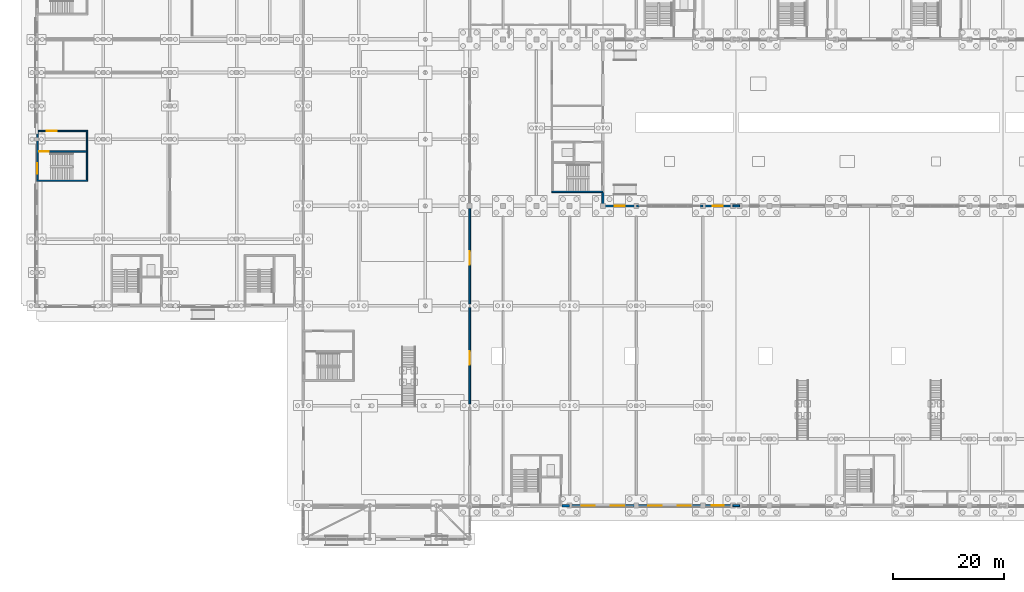
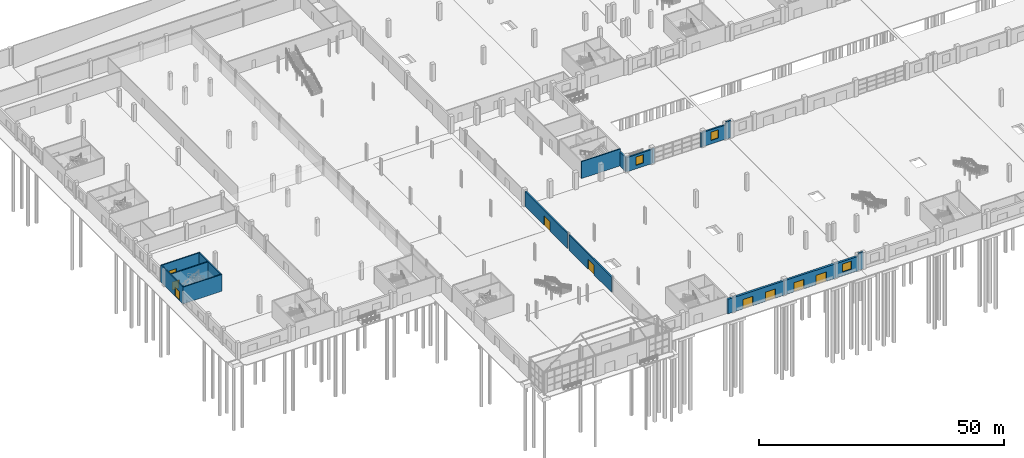
# One storey, part 54 of 77: 19 walls, 9 doors, 3 windows, 12 openings.
"""IFC4 building model written with IfcOpenShell, lengths in metres."""

from ifc_helpers import new_model, si_unit, direction, frame, frame_2d, origin, place, context, subcontext, project, spatial, rectangle, extrude, material, layer, layer_set, type_object, element, fill, save


model = new_model("IFC4")

# Units and contexts
model_context = context("Model", 3, precision=1e-05, world=origin(), true_north=direction((0.0, 1.0)))
body_context = subcontext(model_context, "Body", "Model", "MODEL_VIEW")
ifc_project = project(units=[si_unit("LENGTHUNIT", "METRE"), si_unit("AREAUNIT", "SQUARE_METRE"), si_unit("VOLUMEUNIT", "CUBIC_METRE"), si_unit("PLANEANGLEUNIT", "RADIAN"), si_unit("MASSUNIT", "GRAM", prefix="KILO")], contexts=[model_context])

# Site, building, storey
site_placement = place(None, origin())
site = spatial("IfcSite", under=ifc_project, at=site_placement, CompositionType="ELEMENT")
building_placement = place(site_placement, origin())
building = spatial("IfcBuilding", under=site, at=building_placement, Name="Zilviju Railside Exhibition Hall", CompositionType="ELEMENT")
storey_placement = place(building_placement, origin())
storey = spatial("IfcBuildingStorey", under=building, at=storey_placement, Name="L01", CompositionType="ELEMENT", Elevation=0.0)

# Wall, opening, door
ifc_material_1 = material(Name="Concrete C40/50", Category="concrete")
ifc_layer_1 = layer(ifc_material_1, 0.320068359375)
ifc_layer_set_1 = layer_set([ifc_layer_1], Name="Concrete C40/50")
wall_type_1 = type_object("IfcWallType", Name="WL-COMP-320", PredefinedType="SHEAR", material=ifc_layer_set_1)
wall_1_placement = place(storey_placement, frame((78.0, 18.302001953125, 0.0), z_axis=(0.0, 0.0, 1.0), x_axis=(0.0, 1.0, 0.0)))
wall_1 = element("IfcWall", 1, at=wall_1_placement, inside=storey, type_object=wall_type_1, Name="REI 180 South Hall Compartment Wall L01", PredefinedType="SHEAR", context=body_context, shape_type="SweptSolid", body=[
    extrude(rectangle(XDim=17.39599609375, YDim=0.320068359375, at=frame_2d((8.697998046875, 0.0))), origin(), (0.0, 0.0, 1.0), 3.800048828125),
])
opening_1_placement = place(wall_1_placement, frame((7.048095703125, 0.0, 0.0)))
opening_1 = element("IfcOpeningElement", 2, at=opening_1_placement, cuts=wall_1, Name="Opening FD-04", PredefinedType="OPENING", context=body_context, shape_type="SweptSolid", body=[
    extrude(rectangle(XDim=2.5, YDim=2.39990234375, at=frame_2d((1.25, 1.199951171875))), frame((0.0, 0.169921875, 0.0), z_axis=(0.0, -1.0, 0.0), x_axis=(1.0, 0.0, 0.0)), (0.0, 0.0, 1.0), 0.340087890625),
])
ifc_material_2 = material(Name="Exhibition hall fire compartment double door EI 60", Category="wood")
door_type_1 = type_object("IfcDoorType", Name="DR-COMP-250x240", OperationType="NOTDEFINED", PredefinedType="DOOR", material=ifc_material_2)
door_1_placement = place(opening_1_placement, origin())
door_1 = element("IfcDoor", 3, at=door_1_placement, inside=storey, type_object=door_type_1, Name="South Hall Entry Fire Door L01", OperationType="DOUBLE_DOOR_SINGLE_SWING", OverallHeight=2.39990234375, OverallWidth=2.5, PredefinedType="DOOR", context=body_context, shape_type="SweptSolid", body=[
    extrude(rectangle(XDim=2.5, YDim=2.39990234375, at=frame_2d((1.25, 1.199951171875))), frame((0.0, 0.02490234375, 0.0), z_axis=(0.0, -1.0, 0.0), x_axis=(1.0, 0.0, 0.0)), (0.0, 0.0, 1.0), 0.050048828125),
])
fill(opening_1, door_1)

wall_2_placement = place(storey_placement, frame((78.0, 36.302001953125, 0.0), z_axis=(0.0, 0.0, 1.0), x_axis=(0.0, 1.0, 0.0)))
wall_2 = element("IfcWall", 4, at=wall_2_placement, inside=storey, type_object=wall_type_1, Name="REI 180 South Hall Compartment Wall L01", PredefinedType="SHEAR", context=body_context, shape_type="SweptSolid", body=[
    extrude(rectangle(XDim=17.24609375, YDim=0.320068359375, at=frame_2d((8.623046875, 0.0))), origin(), (0.0, 0.0, 1.0), 3.800048828125),
])
opening_2_placement = place(wall_2_placement, frame((7.048095703125, 0.0, 0.0)))
opening_2 = element("IfcOpeningElement", 5, at=opening_2_placement, cuts=wall_2, Name="Opening FD-04", PredefinedType="OPENING", context=body_context, shape_type="SweptSolid", body=[
    extrude(rectangle(XDim=2.5, YDim=2.39990234375, at=frame_2d((1.25, 1.199951171875))), frame((0.0, 0.169921875, 0.0), z_axis=(0.0, -1.0, 0.0), x_axis=(1.0, 0.0, 0.0)), (0.0, 0.0, 1.0), 0.340087890625),
])
door_2_placement = place(opening_2_placement, origin())
door_2 = element("IfcDoor", 6, at=door_2_placement, inside=storey, type_object=door_type_1, Name="South Hall Entry Fire Door L01", OperationType="DOUBLE_DOOR_SINGLE_SWING", OverallHeight=2.39990234375, OverallWidth=2.5, PredefinedType="DOOR", context=body_context, shape_type="SweptSolid", body=[
    extrude(rectangle(XDim=2.5, YDim=2.39990234375, at=frame_2d((1.25, 1.199951171875))), frame((0.0, 0.02490234375, 0.0), z_axis=(0.0, -1.0, 0.0), x_axis=(1.0, 0.0, 0.0)), (0.0, 0.0, 1.0), 0.050048828125),
])
fill(opening_2, door_2)

# Walls
ifc_material_3 = material(Name="Concrete C35/45", Category="concrete")
ifc_layer_2 = layer(ifc_material_3, 0.25)
ifc_layer_set_2 = layer_set([ifc_layer_2], Name="Concrete C35/45")
wall_type_2 = type_object("IfcWallType", Name="WL-CORE-250", PredefinedType="SHEAR", material=ifc_layer_set_2)
for number, where, z_axis, x_axis, name in (
    (7, (102.0, 56.52490234375, 0.0), (0.0, 0.0, 1.0), (-1.0, 0.0, 0.0), "Core C10 Winter Concourse Court Stairwell Outer Wall L01"),
    (8, (0.0, 58.52490234375, 0.0), (0.0, 0.0, 1.0), (1.0, 0.0, 0.0), "Core C14 Congress Plenary West Stairwell Outer Wall L01"),
):
    element("IfcWall", number, at=place(storey_placement, frame(where, z_axis=z_axis, x_axis=x_axis)), inside=storey, type_object=wall_type_2, Name=name, PredefinedType="SHEAR", context=body_context, shape_type="SweptSolid", body=[
        extrude(rectangle(XDim=9.199951171875, YDim=0.25, at=frame_2d((4.60009765625, 0.0))), origin(), (0.0, 0.0, 1.0), 4.199951171875),
    ])
wall_3_placement = place(storey_placement, frame((9.074951171875, 58.39990234375, 0.0), z_axis=(0.0, 0.0, 1.0), x_axis=(0.0, 1.0, 0.0)))
element("IfcWall", 9, at=wall_3_placement, inside=storey, type_object=wall_type_2, Name="Core C14 Congress Plenary West Core Rear Wall L01", PredefinedType="SHEAR", context=body_context, shape_type="SweptSolid", body=[
    extrude(rectangle(XDim=9.2001953125, YDim=0.25, at=frame_2d((4.60009765625, 0.0))), origin(), (0.0, 0.0, 1.0), 4.199951171875),
])

# Wall, opening, door
wall_4_placement = place(storey_placement, frame((0.0, 67.47509765625, 0.0), z_axis=(0.0, 0.0, 1.0), x_axis=(1.0, 0.0, 0.0)))
wall_4 = element("IfcWall", 10, at=wall_4_placement, inside=storey, type_object=wall_type_2, Name="Core C14 Congress Plenary West Lobby Side Wall L01", PredefinedType="SHEAR", context=body_context, shape_type="SweptSolid", body=[
    extrude(rectangle(XDim=9.199951171875, YDim=0.25, at=frame_2d((4.60009765625, 0.0))), origin(), (0.0, 0.0, 1.0), 4.199951171875),
])
opening_3_placement = place(wall_4_placement, frame((1.800048828125, 0.0, 0.0)))
opening_3 = element("IfcOpeningElement", 11, at=opening_3_placement, cuts=wall_4, Name="Opening FD-02", PredefinedType="OPENING", context=body_context, shape_type="SweptSolid", body=[
    extrude(rectangle(XDim=1.800048828125, YDim=2.14990234375, at=frame_2d((0.89990234375, 1.074951171875))), frame((0.0, 0.135009765625, 0.0), z_axis=(0.0, -1.0, 0.0), x_axis=(1.0, 0.0, 0.0)), (0.0, 0.0, 1.0), 0.27001953125),
])
ifc_material_4 = material(Name="Self-closing glazed steel core lobby fire door EI 60", Category="steel")
door_type_2 = type_object("IfcDoorType", Name="DR-LOBBY-180x215", OperationType="NOTDEFINED", PredefinedType="DOOR", material=ifc_material_4)
door_3_placement = place(opening_3_placement, origin())
door_3 = element("IfcDoor", 12, at=door_3_placement, inside=storey, type_object=door_type_2, Name="Core C14 Congress Plenary West Lobby Fire Door L01", OperationType="DOUBLE_DOOR_SINGLE_SWING", OverallHeight=2.14990234375, OverallWidth=1.800048828125, PredefinedType="DOOR", context=body_context, shape_type="SweptSolid", body=[
    extrude(rectangle(XDim=1.800048828125, YDim=2.14990234375, at=frame_2d((0.89990234375, 1.074951171875))), frame((0.0, 0.02490234375, 0.0), z_axis=(0.0, -1.0, 0.0), x_axis=(1.0, 0.0, 0.0)), (0.0, 0.0, 1.0), 0.050048828125),
])
fill(opening_3, door_3)

wall_5_placement = place(storey_placement, frame((0.25, 63.77490234375, 0.0), z_axis=(0.0, 0.0, 1.0), x_axis=(1.0, 0.0, 0.0)))
wall_5 = element("IfcWall", 13, at=wall_5_placement, inside=storey, type_object=wall_type_2, Name="Core C14 Congress Plenary West Stairwell Partition Wall L01", PredefinedType="SHEAR", context=body_context, shape_type="SweptSolid", body=[
    extrude(rectangle(XDim=8.699951171875, YDim=0.25, at=frame_2d((4.35009765625, 0.0))), origin(), (0.0, 0.0, 1.0), 4.199951171875),
])
opening_4_placement = place(wall_5_placement, frame((0.25, 0.0, 0.0)))
opening_4 = element("IfcOpeningElement", 14, at=opening_4_placement, cuts=wall_5, Name="Opening FD-01", PredefinedType="OPENING", context=body_context, shape_type="SweptSolid", body=[
    extrude(rectangle(XDim=1.64990234375, YDim=2.10009765625, at=frame_2d((0.824951171875, 1.050048828125))), frame((0.0, 0.135009765625, 0.0), z_axis=(0.0, -1.0, 0.0), x_axis=(1.0, 0.0, 0.0)), (0.0, 0.0, 1.0), 0.27001953125),
])
ifc_material_5 = material(Name="Self-closing steel stair enclosure fire door EI 60", Category="steel")
door_type_3 = type_object("IfcDoorType", Name="DR-STAIR-165x210", OperationType="NOTDEFINED", PredefinedType="DOOR", material=ifc_material_5)
door_4_placement = place(opening_4_placement, origin())
door_4 = element("IfcDoor", 15, at=door_4_placement, inside=storey, type_object=door_type_3, Name="Core C14 Congress Plenary West Protected Stair Door L01", OperationType="SINGLE_SWING_RIGHT", OverallHeight=2.10009765625, OverallWidth=1.64990234375, PredefinedType="DOOR", context=body_context, shape_type="SweptSolid", body=[
    extrude(rectangle(XDim=1.64990234375, YDim=2.10009765625, at=frame_2d((0.824951171875, 1.050048828125))), frame((0.0, 0.02490234375, 0.0), z_axis=(0.0, -1.0, 0.0), x_axis=(1.0, 0.0, 0.0)), (0.0, 0.0, 1.0), 0.050048828125),
])
fill(opening_4, door_4)

ifc_layer_3 = layer(ifc_material_1, 0.25)
ifc_layer_set_3 = layer_set([ifc_layer_3], Name="Concrete C40/50")
wall_type_3 = type_object("IfcWallType", Name="WL-CORE-300", PredefinedType="SHEAR", material=ifc_layer_set_3)
wall_6_placement = place(storey_placement, frame((0.125, 58.39990234375, 0.0), z_axis=(0.0, 0.0, 1.0), x_axis=(0.0, 1.0, 0.0)))
wall_6 = element("IfcWall", 16, at=wall_6_placement, inside=storey, type_object=wall_type_3, Name="Core C14 Congress Plenary West Exterior Core Wall L01", PredefinedType="SHEAR", context=body_context, shape_type="SweptSolid", body=[
    extrude(rectangle(XDim=9.2001953125, YDim=0.25, at=frame_2d((4.60009765625, 0.0))), origin(), (0.0, 0.0, 1.0), 4.199951171875),
])
opening_5_placement = place(wall_6_placement, frame((1.39990234375, 0.0, 0.0)))
opening_5 = element("IfcOpeningElement", 17, at=opening_5_placement, cuts=wall_6, Name="Opening ED-02", PredefinedType="OPENING", context=body_context, shape_type="SweptSolid", body=[
    extrude(rectangle(XDim=1.89990234375, YDim=2.199951171875, at=frame_2d((0.949951171875, 1.10009765625))), frame((0.0, 0.135009765625, 0.0), z_axis=(0.0, -1.0, 0.0), x_axis=(1.0, 0.0, 0.0)), (0.0, 0.0, 1.0), 0.27001953125),
])
ifc_material_6 = material(Name="Insulated aluminium stair discharge door", Category="aluminium")
door_type_4 = type_object("IfcDoorType", Name="DR-EXT-EXIT-190x220", OperationType="NOTDEFINED", PredefinedType="DOOR", material=ifc_material_6)
door_5_placement = place(opening_5_placement, origin())
door_5 = element("IfcDoor", 18, at=door_5_placement, inside=storey, type_object=door_type_4, Name="Core C14 Congress Plenary West Exit Stair Discharge Door ED-C14", OperationType="DOUBLE_DOOR_SINGLE_SWING", OverallHeight=2.199951171875, OverallWidth=1.89990234375, PredefinedType="DOOR", context=body_context, shape_type="SweptSolid", body=[
    extrude(rectangle(XDim=1.89990234375, YDim=2.199951171875, at=frame_2d((0.949951171875, 1.10009765625))), frame((0.0, 0.02490234375, 0.0), z_axis=(0.0, -1.0, 0.0), x_axis=(1.0, 0.0, 0.0)), (0.0, 0.0, 1.0), 0.050048828125),
])
fill(opening_5, door_5)

# Wall, opening, window
ifc_material_7 = material(Name="Insulated courtyard masonry wall", Category="masonry")
ifc_layer_4 = layer(ifc_material_7, 0.360107421875)
ifc_layer_set_4 = layer_set([ifc_layer_4], Name="Insulated courtyard masonry wall")
wall_type_4 = type_object("IfcWallType", Name="WL-EXT-360", PredefinedType="SOLIDWALL", material=ifc_layer_set_4)
wall_7_placement = place(storey_placement, frame((102.0, 54.0, 0.0), z_axis=(0.0, 0.0, 1.0), x_axis=(1.0, 0.0, 0.0)))
wall_7 = element("IfcWall", 19, at=wall_7_placement, inside=storey, type_object=wall_type_4, Name="Exterior Facade Wall L01 North 0018", PredefinedType="SOLIDWALL", context=body_context, shape_type="SweptSolid", body=[
    extrude(rectangle(XDim=6.0, YDim=0.360107421875, at=frame_2d((3.0, 0.0))), origin(), (0.0, 0.0, 1.0), 3.56005859375),
])
opening_6_placement = place(wall_7_placement, frame((2.10009765625, 0.0, 0.89990234375)))
opening_6 = element("IfcOpeningElement", 20, at=opening_6_placement, cuts=wall_7, Name="Opening WN-01", PredefinedType="OPENING", context=body_context, shape_type="SweptSolid", body=[
    extrude(rectangle(XDim=1.800048828125, YDim=2.050048828125, at=frame_2d((0.89990234375, 1.02490234375))), frame((0.0, 0.18994140625, 0.0), z_axis=(0.0, -1.0, 0.0), x_axis=(1.0, 0.0, 0.0)), (0.0, 0.0, 1.0), 0.380126953125),
])
ifc_material_8 = material(Name="Triple-glazed timber-aluminium window unit", Category="wood")
window_type_1 = type_object("IfcWindowType", Name="WIN-JUG-180x205", PartitioningType="DOUBLE_PANEL_VERTICAL", PredefinedType="WINDOW", material=ifc_material_8)
window_1_placement = place(opening_6_placement, origin())
window_1 = element("IfcWindow", 21, at=window_1_placement, inside=storey, type_object=window_type_1, Name="Facade Window L01 WN-0006", OverallHeight=2.050048828125, OverallWidth=1.800048828125, PartitioningType="SINGLE_PANEL", PredefinedType="WINDOW", context=body_context, shape_type="SweptSolid", body=[
    extrude(rectangle(XDim=1.800048828125, YDim=2.050048828125, at=frame_2d((0.89990234375, 1.02490234375))), frame((0.0, 0.030029296875, 0.0), z_axis=(0.0, -1.0, 0.0), x_axis=(1.0, 0.0, 0.0)), (0.0, 0.0, 1.0), 0.06005859375),
])
fill(opening_6, window_1)

wall_8_placement = place(storey_placement, frame((120.0, 54.0, 0.0), z_axis=(0.0, 0.0, 1.0), x_axis=(1.0, 0.0, 0.0)))
wall_8 = element("IfcWall", 22, at=wall_8_placement, inside=storey, type_object=wall_type_4, Name="Exterior Facade Wall L01 North 0021", PredefinedType="SOLIDWALL", context=body_context, shape_type="SweptSolid", body=[
    extrude(rectangle(XDim=5.39990234375, YDim=0.360107421875, at=frame_2d((2.699951171875, 0.0))), origin(), (0.0, 0.0, 1.0), 3.570068359375),
])
opening_7_placement = place(wall_8_placement, frame((1.800048828125, 0.0, 0.89990234375)))
opening_7 = element("IfcOpeningElement", 23, at=opening_7_placement, cuts=wall_8, Name="Opening WN-01", PredefinedType="OPENING", context=body_context, shape_type="SweptSolid", body=[
    extrude(rectangle(XDim=1.800048828125, YDim=2.050048828125, at=frame_2d((0.89990234375, 1.02490234375))), frame((0.0, 0.18994140625, 0.0), z_axis=(0.0, -1.0, 0.0), x_axis=(1.0, 0.0, 0.0)), (0.0, 0.0, 1.0), 0.380126953125),
])
window_2_placement = place(opening_7_placement, origin())
window_2 = element("IfcWindow", 24, at=window_2_placement, inside=storey, type_object=window_type_1, Name="Facade Window L01 WN-0007", OverallHeight=2.050048828125, OverallWidth=1.800048828125, PartitioningType="SINGLE_PANEL", PredefinedType="WINDOW", context=body_context, shape_type="SweptSolid", body=[
    extrude(rectangle(XDim=1.800048828125, YDim=2.050048828125, at=frame_2d((0.89990234375, 1.02490234375))), frame((0.0, 0.030029296875, 0.0), z_axis=(0.0, -1.0, 0.0), x_axis=(1.0, 0.0, 0.0)), (0.0, 0.0, 1.0), 0.06005859375),
])
fill(opening_7, window_2)

# Walls
wall_9_placement = place(storey_placement, frame((102.0, 56.39990234375, 0.0), z_axis=(0.0, 0.0, 1.0), x_axis=(0.0, -1.0, 0.0)))
element("IfcWall", 25, at=wall_9_placement, inside=storey, type_object=wall_type_4, Name="Exterior Facade Wall L01 East 0399", PredefinedType="SOLIDWALL", context=body_context, shape_type="SweptSolid", body=[
    extrude(rectangle(XDim=2.39990234375, YDim=0.360107421875, at=frame_2d((1.199951171875, 0.0))), origin(), (0.0, 0.0, 1.0), 3.5),
])
for number, where, z_axis, x_axis, name in (
    (26, (126.60009765625, 0.0, 0.0), (0.0, 0.0, 1.0), (-1.0, 0.0, 0.0), "Exterior Facade Wall L01 South 0581"),
    (27, (125.39990234375, 54.0, 0.0), (0.0, 0.0, 1.0), (1.0, 0.0, 0.0), "Exterior Facade Wall L01 North 0582"),
):
    element("IfcWall", number, at=place(storey_placement, frame(where, z_axis=z_axis, x_axis=x_axis)), inside=storey, type_object=wall_type_4, Name=name, PredefinedType="SOLIDWALL", context=body_context, shape_type="SweptSolid", body=[
        extrude(rectangle(XDim=1.2001953125, YDim=0.360107421875, at=frame_2d((0.60009765625, 0.0))), origin(), (0.0, 0.0, 1.0), 4.199951171875),
    ])
ifc_material_9 = material(Name="Insulated cream-brick upper facade wall", Category="masonry")
ifc_layer_5 = layer(ifc_material_9, 0.3798828125)
ifc_layer_set_5 = layer_set([ifc_layer_5], Name="Insulated cream-brick upper facade wall")
wall_type_5 = type_object("IfcWallType", Name="WL-EXT-380", PredefinedType="SOLIDWALL", material=ifc_layer_set_5)
for number, where, z_axis, x_axis, name in (
    (28, (108.001953125, 54.0, 0.0), (0.0, 0.0, 1.0), (1.0, 0.0, 0.0), "Curtain-Wall Jamb Closure Pier L01 0019"),
    (29, (119.449951171875, 54.0, 0.0), (0.0, 0.0, 1.0), (1.0, 0.0, 0.0), "Curtain-Wall Jamb Closure Pier L01 0020"),
):
    element("IfcWall", number, at=place(storey_placement, frame(where, z_axis=z_axis, x_axis=x_axis)), inside=storey, type_object=wall_type_5, Name=name, PredefinedType="SOLIDWALL", context=body_context, shape_type="SweptSolid", body=[
        extrude(rectangle(XDim=0.548095703125, YDim=0.3798828125, at=frame_2d((0.27392578125, 0.0))), origin(), (0.0, 0.0, 1.0), 3.56005859375),
    ])
ifc_material_10 = material(Name="Insulated Baltic granite plinth masonry wall", Category="masonry")
ifc_layer_6 = layer(ifc_material_10, 0.47998046875)
ifc_layer_set_6 = layer_set([ifc_layer_6], Name="Insulated Baltic granite plinth masonry wall")
wall_type_6 = type_object("IfcWallType", Name="WL-EXT-480", PredefinedType="SOLIDWALL", material=ifc_layer_set_6)
wall_10_placement = place(storey_placement, frame((96.0, 0.0, 0.0), z_axis=(0.0, 0.0, 1.0), x_axis=(-1.0, 0.0, 0.0)))
element("IfcWall", 30, at=wall_10_placement, inside=storey, type_object=wall_type_6, Name="Exterior Facade Wall L01 South 0003", PredefinedType="SOLIDWALL", context=body_context, shape_type="SweptSolid", body=[
    extrude(rectangle(XDim=1.39990234375, YDim=0.47998046875, at=frame_2d((0.699951171875, 0.0))), origin(), (0.0, 0.0, 1.0), 3.580078125),
])

# Wall, openings, doors
wall_11_placement = place(storey_placement, frame((108.0, 0.0, 0.0), z_axis=(0.0, 0.0, 1.0), x_axis=(-1.0, 0.0, 0.0)))
wall_11 = element("IfcWall", 31, at=wall_11_placement, inside=storey, type_object=wall_type_6, Name="Exterior Facade Wall L01 South 0004", PredefinedType="SOLIDWALL", context=body_context, shape_type="SweptSolid", body=[
    extrude(rectangle(XDim=12.0, YDim=0.47998046875, at=frame_2d((6.0, 0.0))), origin(), (0.0, 0.0, 1.0), 3.580078125),
])
opening_8_placement = place(wall_11_placement, frame((2.159912109375, 0.0, 0.0)))
opening_8 = element("IfcOpeningElement", 32, at=opening_8_placement, cuts=wall_11, Name="Opening ED-05", PredefinedType="OPENING", context=body_context, shape_type="SweptSolid", body=[
    extrude(rectangle(XDim=2.39990234375, YDim=2.300048828125, at=frame_2d((1.199951171875, 1.14990234375))), frame((0.0, 0.25, 0.0), z_axis=(0.0, -1.0, 0.0), x_axis=(1.0, 0.0, 0.0)), (0.0, 0.0, 1.0), 0.5),
])
opening_9_placement = place(wall_11_placement, frame((7.43994140625, 0.0, 0.0)))
opening_9 = element("IfcOpeningElement", 33, at=opening_9_placement, cuts=wall_11, Name="Opening ED-05", PredefinedType="OPENING", context=body_context, shape_type="SweptSolid", body=[
    extrude(rectangle(XDim=2.39990234375, YDim=2.300048828125, at=frame_2d((1.199951171875, 1.14990234375))), frame((0.0, 0.25, 0.0), z_axis=(0.0, -1.0, 0.0), x_axis=(1.0, 0.0, 0.0)), (0.0, 0.0, 1.0), 0.5),
])
ifc_material_11 = material(Name="Insulated bronze-clad exhibition hall double exit door", Category="steel")
door_type_5 = type_object("IfcDoorType", Name="DR-EXT-EXIT-240x230", OperationType="NOTDEFINED", PredefinedType="DOOR", material=ifc_material_11)
door_6_placement = place(opening_8_placement, origin())
door_6 = element("IfcDoor", 34, at=door_6_placement, inside=storey, type_object=door_type_5, Name="Pedestrian Final Exit Door ED-001", OperationType="DOUBLE_DOOR_SINGLE_SWING", OverallHeight=2.300048828125, OverallWidth=2.39990234375, PredefinedType="DOOR", context=body_context, shape_type="SweptSolid", body=[
    extrude(rectangle(XDim=2.39990234375, YDim=2.300048828125, at=frame_2d((1.199951171875, 1.14990234375))), frame((0.0, 0.02490234375, 0.0), z_axis=(0.0, -1.0, 0.0), x_axis=(1.0, 0.0, 0.0)), (0.0, 0.0, 1.0), 0.050048828125),
])
fill(opening_8, door_6)
door_7_placement = place(opening_9_placement, origin())
door_7 = element("IfcDoor", 35, at=door_7_placement, inside=storey, type_object=door_type_5, Name="Pedestrian Final Exit Door ED-002", OperationType="DOUBLE_DOOR_SINGLE_SWING", OverallHeight=2.300048828125, OverallWidth=2.39990234375, PredefinedType="DOOR", context=body_context, shape_type="SweptSolid", body=[
    extrude(rectangle(XDim=2.39990234375, YDim=2.300048828125, at=frame_2d((1.199951171875, 1.14990234375))), frame((0.0, 0.02490234375, 0.0), z_axis=(0.0, -1.0, 0.0), x_axis=(1.0, 0.0, 0.0)), (0.0, 0.0, 1.0), 0.050048828125),
])
fill(opening_9, door_7)

wall_12_placement = place(storey_placement, frame((120.0, 0.0, 0.0), z_axis=(0.0, 0.0, 1.0), x_axis=(-1.0, 0.0, 0.0)))
wall_12 = element("IfcWall", 36, at=wall_12_placement, inside=storey, type_object=wall_type_6, Name="Exterior Facade Wall L01 South 0005", PredefinedType="SOLIDWALL", context=body_context, shape_type="SweptSolid", body=[
    extrude(rectangle(XDim=12.0, YDim=0.47998046875, at=frame_2d((6.0, 0.0))), origin(), (0.0, 0.0, 1.0), 3.580078125),
])
opening_10_placement = place(wall_12_placement, frame((2.159912109375, 0.0, 0.0)))
opening_10 = element("IfcOpeningElement", 37, at=opening_10_placement, cuts=wall_12, Name="Opening ED-05", PredefinedType="OPENING", context=body_context, shape_type="SweptSolid", body=[
    extrude(rectangle(XDim=2.39990234375, YDim=2.300048828125, at=frame_2d((1.199951171875, 1.14990234375))), frame((0.0, 0.25, 0.0), z_axis=(0.0, -1.0, 0.0), x_axis=(1.0, 0.0, 0.0)), (0.0, 0.0, 1.0), 0.5),
])
opening_11_placement = place(wall_12_placement, frame((7.43994140625, 0.0, 0.0)))
opening_11 = element("IfcOpeningElement", 38, at=opening_11_placement, cuts=wall_12, Name="Opening ED-05", PredefinedType="OPENING", context=body_context, shape_type="SweptSolid", body=[
    extrude(rectangle(XDim=2.39990234375, YDim=2.300048828125, at=frame_2d((1.199951171875, 1.14990234375))), frame((0.0, 0.25, 0.0), z_axis=(0.0, -1.0, 0.0), x_axis=(1.0, 0.0, 0.0)), (0.0, 0.0, 1.0), 0.5),
])
door_8_placement = place(opening_10_placement, origin())
door_8 = element("IfcDoor", 39, at=door_8_placement, inside=storey, type_object=door_type_5, Name="Pedestrian Final Exit Door ED-003", OperationType="DOUBLE_DOOR_SINGLE_SWING", OverallHeight=2.300048828125, OverallWidth=2.39990234375, PredefinedType="DOOR", context=body_context, shape_type="SweptSolid", body=[
    extrude(rectangle(XDim=2.39990234375, YDim=2.300048828125, at=frame_2d((1.199951171875, 1.14990234375))), frame((0.0, 0.02490234375, 0.0), z_axis=(0.0, -1.0, 0.0), x_axis=(1.0, 0.0, 0.0)), (0.0, 0.0, 1.0), 0.050048828125),
])
fill(opening_10, door_8)
door_9_placement = place(opening_11_placement, origin())
door_9 = element("IfcDoor", 40, at=door_9_placement, inside=storey, type_object=door_type_5, Name="Pedestrian Final Exit Door ED-004", OperationType="DOUBLE_DOOR_SINGLE_SWING", OverallHeight=2.300048828125, OverallWidth=2.39990234375, PredefinedType="DOOR", context=body_context, shape_type="SweptSolid", body=[
    extrude(rectangle(XDim=2.39990234375, YDim=2.300048828125, at=frame_2d((1.199951171875, 1.14990234375))), frame((0.0, 0.02490234375, 0.0), z_axis=(0.0, -1.0, 0.0), x_axis=(1.0, 0.0, 0.0)), (0.0, 0.0, 1.0), 0.050048828125),
])
fill(opening_11, door_9)

# Wall, opening, window
wall_13_placement = place(storey_placement, frame((125.39990234375, 0.0, 0.0), z_axis=(0.0, 0.0, 1.0), x_axis=(-1.0, 0.0, 0.0)))
wall_13 = element("IfcWall", 41, at=wall_13_placement, inside=storey, type_object=wall_type_6, Name="Exterior Facade Wall L01 South 0006", PredefinedType="SOLIDWALL", context=body_context, shape_type="SweptSolid", body=[
    extrude(rectangle(XDim=5.39990234375, YDim=0.47998046875, at=frame_2d((2.699951171875, 0.0))), origin(), (0.0, 0.0, 1.0), 3.580078125),
])
opening_12_placement = place(wall_13_placement, frame((1.60009765625, 0.0, 0.89990234375)))
opening_12 = element("IfcOpeningElement", 42, at=opening_12_placement, cuts=wall_13, Name="Opening WN-05", PredefinedType="OPENING", context=body_context, shape_type="SweptSolid", body=[
    extrude(rectangle(XDim=2.199951171875, YDim=2.050048828125, at=frame_2d((1.10009765625, 1.02490234375))), frame((0.0, 0.25, 0.0), z_axis=(0.0, -1.0, 0.0), x_axis=(1.0, 0.0, 0.0)), (0.0, 0.0, 1.0), 0.5),
])
window_type_2 = type_object("IfcWindowType", Name="WIN-JUG-220x205", PartitioningType="TRIPLE_PANEL_VERTICAL", PredefinedType="WINDOW", material=ifc_material_8)
window_3_placement = place(opening_12_placement, origin())
window_3 = element("IfcWindow", 43, at=window_3_placement, inside=storey, type_object=window_type_2, Name="Facade Window L01 WN-0002", OverallHeight=2.050048828125, OverallWidth=2.199951171875, PartitioningType="SINGLE_PANEL", PredefinedType="WINDOW", context=body_context, shape_type="SweptSolid", body=[
    extrude(rectangle(XDim=2.199951171875, YDim=2.050048828125, at=frame_2d((1.10009765625, 1.02490234375))), frame((0.0, 0.030029296875, 0.0), z_axis=(0.0, -1.0, 0.0), x_axis=(1.0, 0.0, 0.0)), (0.0, 0.0, 1.0), 0.06005859375),
])
fill(opening_12, window_3)

save(model, "model.ifc")
